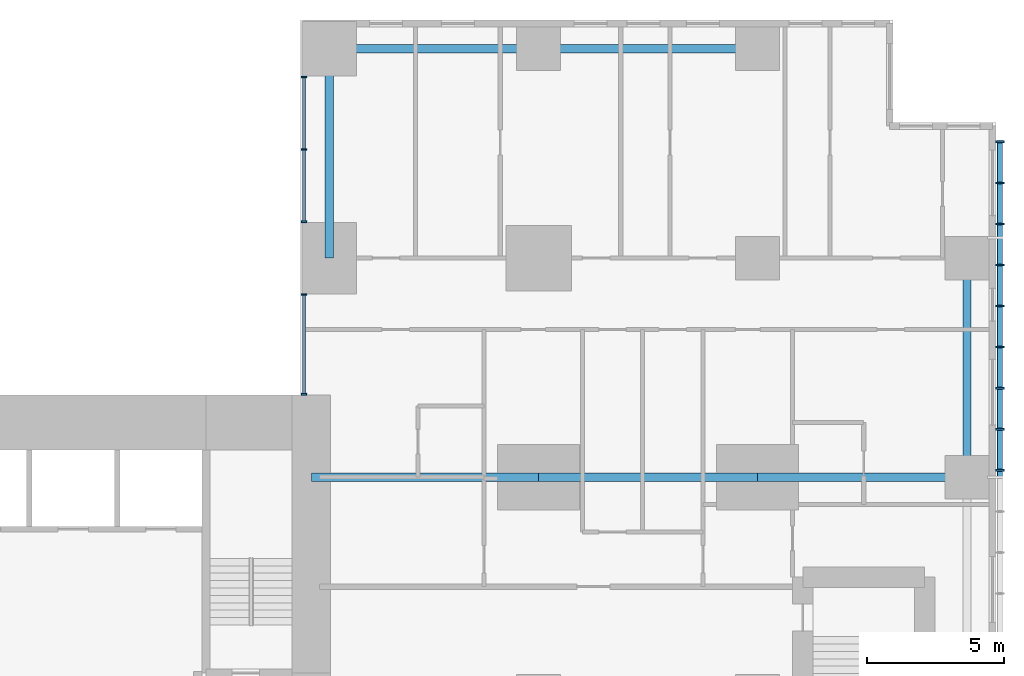
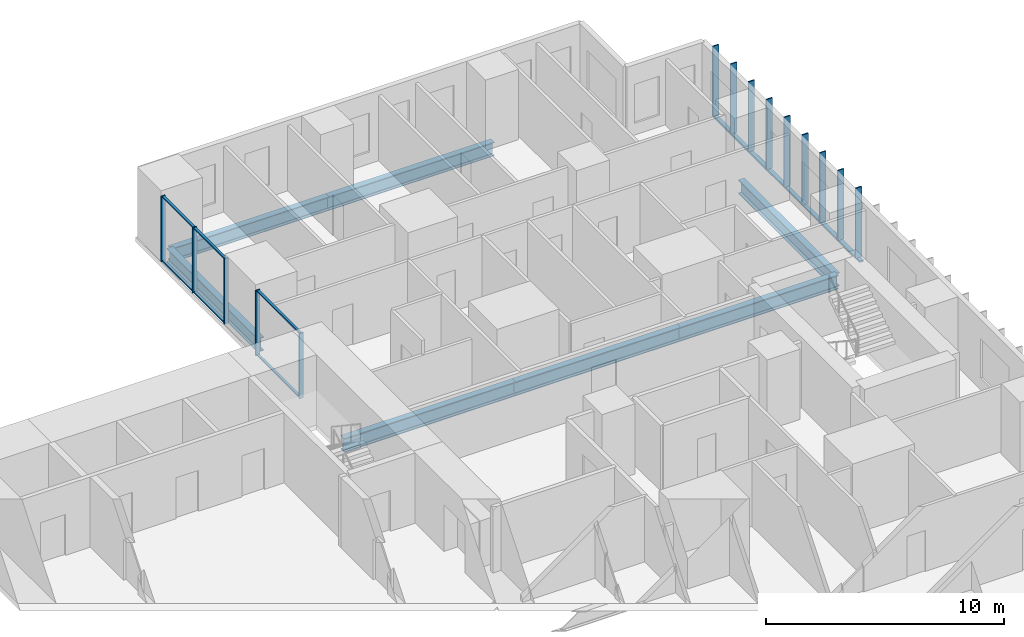
# One storey, part 3 of 12: 21 members, 7 beams, 2 elements without a shape of their own.
"""IFC4 building model written with IfcOpenShell, lengths in metres."""

from ifc_helpers import new_model, si_unit, direction, frame, origin, origin_2d, place, context, subcontext, project, spatial, rectangle, hollow_rectangle, i_section, extrude, material, layer, layer_set, material_profile, profile_set, type_object, element, aggregate, save


model = new_model("IFC4")

# Units and contexts
model_context = context("Model", 3, precision=1e-05, world=origin(), true_north=direction((0.0, 1.0)))
body_context = subcontext(model_context, "Body", "Model", "MODEL_VIEW")
ifc_project = project(units=[si_unit("LENGTHUNIT", "METRE"), si_unit("AREAUNIT", "SQUARE_METRE"), si_unit("VOLUMEUNIT", "CUBIC_METRE"), si_unit("PLANEANGLEUNIT", "RADIAN"), si_unit("MASSUNIT", "GRAM", prefix="KILO")], contexts=[model_context])

# Site, building, storey
site_placement = place(None, origin())
site = spatial("IfcSite", under=ifc_project, at=site_placement, CompositionType="ELEMENT")
building_placement = place(site_placement, origin())
building = spatial("IfcBuilding", under=site, at=building_placement, Name="Cleftline Residences", CompositionType="ELEMENT")
storey_placement = place(building_placement, frame((0.0, 0.0, 237.60009765625)))
storey = spatial("IfcBuildingStorey", under=building, at=storey_placement, Name="L62", CompositionType="ELEMENT", Elevation=237.60009765625)

# Member
ifc_material_1 = material(Name="Steel S355, hot-dip galvanised", Category="steel")
ifc_material_profile_1 = material_profile(ifc_material_1, hollow_rectangle(XDim=0.10009765625, YDim=0.199951171875, WallThickness=0.008056640625, InnerFilletRadius=0.008056640625, OuterFilletRadius=0.011962890625, at=origin_2d()))
ifc_profile_set_1 = profile_set([ifc_material_profile_1], Name="Steel S355, hot-dip galvanised")
member_type_1 = type_object("IfcMemberType", Name="BAGUETTE CARRIER RHS 200X100X8", PredefinedType="USERDEFINED", material=ifc_profile_set_1)
member_1_placement = place(storey_placement, frame((66.85009765625, 32.0, -0.050048828125), z_axis=(0.0, 1.0, 0.0), x_axis=(0.0, 0.0, 1.0)))
element("IfcMember", 1, at=member_1_placement, inside=storey, type_object=member_type_1, Name="Baguette carrier", ObjectType="BAGUETTE CARRIER", PredefinedType="USERDEFINED", context=body_context, shape_type="SweptSolid", body=[
    extrude(hollow_rectangle(XDim=0.10009765625, YDim=0.199951171875, WallThickness=0.008056640625, InnerFilletRadius=0.008056640625, OuterFilletRadius=0.011962890625, at=origin_2d()), origin(), (0.0, 0.0, 1.0), 12.300048828125),
])

# Beams
ifc_material_2 = material(Name="Steel S355", Category="steel")
ifc_material_profile_2 = material_profile(ifc_material_2, i_section(OverallWidth=0.300048828125, OverallDepth=0.699951171875, WebThickness=0.01708984375, FlangeThickness=0.031982421875, FilletRadius=0.027099609375, at=origin_2d()))
ifc_profile_set_2 = profile_set([ifc_material_profile_2], Name="Steel S355")
beam_type_1 = type_object("IfcBeamType", Name="BEAM HEB 700", PredefinedType="BEAM", material=ifc_profile_set_2)
for number, where, z_axis, x_axis, name in (
    (2, (65.64990234375, 32.0, -0.60009765625), (0.0, 1.0, 0.0), (-1.0, 0.0, 0.0), "Edge beam"),
    (3, (58.0, 47.64990234375, -0.60009765625), (-1.0, 0.0, 0.0), (0.0, -1.0, 0.0), "Edge beam"),
):
    element("IfcBeam", number, at=place(storey_placement, frame(where, z_axis=z_axis, x_axis=x_axis)), inside=storey, type_object=beam_type_1, Name=name, PredefinedType="BEAM", context=body_context, shape_type="SweptSolid", body=[
        extrude(i_section(OverallWidth=0.300048828125, OverallDepth=0.699951171875, WebThickness=0.01708984375, FlangeThickness=0.031982421875, FilletRadius=0.027099609375, at=origin_2d()), origin(), (0.0, 0.0, 1.0), 8.0),
    ])
for number, where, z_axis, x_axis, name in (
    (4, (50.0, 47.64990234375, -0.60009765625), (-1.0, 0.0, 0.0), (0.0, -1.0, 0.0), "Edge beam"),
    (5, (42.35009765625, 47.64990234375, -0.60009765625), (0.0, -1.0, 0.0), (1.0, 0.0, 0.0), "Edge beam"),
):
    element("IfcBeam", number, at=place(storey_placement, frame(where, z_axis=z_axis, x_axis=x_axis)), inside=storey, type_object=beam_type_1, Name=name, PredefinedType="BEAM", context=body_context, shape_type="SweptSolid", body=[
        extrude(i_section(OverallWidth=0.300048828125, OverallDepth=0.699951171875, WebThickness=0.01708984375, FlangeThickness=0.031982421875, FilletRadius=0.027099609375, at=origin_2d()), origin(), (0.0, 0.0, 1.0), 7.64990234375),
    ])
ifc_material_3 = material(Name="Steel S355", Category="steel")
ifc_material_profile_3 = material_profile(ifc_material_3, i_section(OverallWidth=0.303955078125, OverallDepth=0.716064453125, WebThickness=0.02099609375, FlangeThickness=0.0400390625, FilletRadius=0.027099609375, at=origin_2d()))
ifc_profile_set_3 = profile_set([ifc_material_profile_3], Name="Steel S355")
beam_type_2 = type_object("IfcBeamType", Name="BEAM HEM 700", PredefinedType="BEAM", material=ifc_profile_set_3)
beam_1_placement = place(storey_placement, frame((65.64990234375, 32.0, -0.608154296875), z_axis=(-1.0, 0.0, 0.0), x_axis=(0.0, -1.0, 0.0)))
element("IfcBeam", 6, at=beam_1_placement, inside=storey, type_object=beam_type_2, Name="Band beam", PredefinedType="BEAM", context=body_context, shape_type="SweptSolid", body=[
    extrude(i_section(OverallWidth=0.303955078125, OverallDepth=0.716064453125, WebThickness=0.02099609375, FlangeThickness=0.0400390625, FilletRadius=0.027099609375, at=origin_2d()), origin(), (0.0, 0.0, 1.0), 7.64990234375),
])
beam_2_placement = place(storey_placement, frame((58.0, 32.0, -0.608154296875), z_axis=(-1.0, 0.0, 0.0), x_axis=(0.0, -1.0, 0.0)))
element("IfcBeam", 7, at=beam_2_placement, inside=storey, type_object=beam_type_2, Name="Band beam", PredefinedType="BEAM", context=body_context, shape_type="SweptSolid", body=[
    extrude(i_section(OverallWidth=0.303955078125, OverallDepth=0.716064453125, WebThickness=0.02099609375, FlangeThickness=0.0400390625, FilletRadius=0.027099609375, at=origin_2d()), origin(), (0.0, 0.0, 1.0), 8.0),
])
beam_3_placement = place(storey_placement, frame((50.0, 32.0, -0.608154296875), z_axis=(-1.0, 0.0, 0.0), x_axis=(0.0, -1.0, 0.0)))
element("IfcBeam", 8, at=beam_3_placement, inside=storey, type_object=beam_type_2, Name="Band beam", PredefinedType="BEAM", context=body_context, shape_type="SweptSolid", body=[
    extrude(i_section(OverallWidth=0.303955078125, OverallDepth=0.716064453125, WebThickness=0.02099609375, FlangeThickness=0.0400390625, FilletRadius=0.027099609375, at=origin_2d()), origin(), (0.0, 0.0, 1.0), 8.300048828125),
])

# Curtain wall, members
ifc_material_4 = material(Name="Aluminium framed curtain wall", Category="aluminium")
ifc_layer = layer(ifc_material_4, 0.199951171875)
ifc_layer_set = layer_set([ifc_layer], Name="CW1 CLEFT GLAZING")
curtain_wall_type = type_object("IfcCurtainWallType", Name="CW1 CLEFT GLAZING", PredefinedType="NOTDEFINED", material=ifc_layer_set)
curtain_wall_1_placement = place(storey_placement, origin())
curtain_wall_1 = element("IfcCurtainWall", 9, at=curtain_wall_1_placement, inside=storey, type_object=curtain_wall_type, Name="Curtain wall CW1", PredefinedType="NOTDEFINED")
ifc_material_5 = material(Name="Aluminium mullion", Category="aluminium")
ifc_material_profile_4 = material_profile(ifc_material_5, rectangle(XDim=0.199951171875, YDim=0.06005859375, at=origin_2d()))
ifc_profile_set_4 = profile_set([ifc_material_profile_4], Name="Aluminium mullion")
member_type_2 = type_object("IfcMemberType", Name="CW1 MULLION", PredefinedType="MULLION", material=ifc_profile_set_4)
member_2_placement = place(storey_placement, frame((41.425048828125, 46.6201171875, 0.0), z_axis=(0.0, 0.0, 1.0), x_axis=(1.0, 0.0, 0.0)))
member_2 = element("IfcMember", 10, at=member_2_placement, type_object=member_type_2, Name="CW1 mullion 1", PredefinedType="MULLION", context=body_context, shape_type="SweptSolid", body=[
    extrude(rectangle(XDim=0.199951171875, YDim=0.06005859375, at=origin_2d()), origin(), (0.0, 0.0, 1.0), 3.349853515625),
])
member_3_placement = place(storey_placement, frame((41.425048828125, 43.97509765625, 0.0), z_axis=(0.0, 0.0, 1.0), x_axis=(1.0, 0.0, 0.0)))
member_3 = element("IfcMember", 11, at=member_3_placement, type_object=member_type_2, Name="CW1 mullion 2", PredefinedType="MULLION", context=body_context, shape_type="SweptSolid", body=[
    extrude(rectangle(XDim=0.199951171875, YDim=0.06005859375, at=origin_2d()), origin(), (0.0, 0.0, 1.0), 3.349853515625),
])
member_4_placement = place(storey_placement, frame((41.425048828125, 41.330078125, 0.0), z_axis=(0.0, 0.0, 1.0), x_axis=(1.0, 0.0, 0.0)))
member_4 = element("IfcMember", 12, at=member_4_placement, type_object=member_type_2, Name="CW1 mullion 3", PredefinedType="MULLION", context=body_context, shape_type="SweptSolid", body=[
    extrude(rectangle(XDim=0.199951171875, YDim=0.06005859375, at=origin_2d()), origin(), (0.0, 0.0, 1.0), 3.349853515625),
])

curtain_wall_2_placement = place(storey_placement, origin())
curtain_wall_2 = element("IfcCurtainWall", 13, at=curtain_wall_2_placement, inside=storey, type_object=curtain_wall_type, Name="Curtain wall CW1", PredefinedType="NOTDEFINED")
member_5_placement = place(storey_placement, frame((41.425048828125, 38.669921875, 0.0), z_axis=(0.0, 0.0, 1.0), x_axis=(1.0, 0.0, 0.0)))
member_5 = element("IfcMember", 14, at=member_5_placement, type_object=member_type_2, Name="CW1 mullion 1", PredefinedType="MULLION", context=body_context, shape_type="SweptSolid", body=[
    extrude(rectangle(XDim=0.199951171875, YDim=0.06005859375, at=origin_2d()), origin(), (0.0, 0.0, 1.0), 3.349853515625),
])
member_6_placement = place(storey_placement, frame((41.425048828125, 35.030029296875, 0.0), z_axis=(0.0, 0.0, 1.0), x_axis=(1.0, 0.0, 0.0)))
member_6 = element("IfcMember", 15, at=member_6_placement, type_object=member_type_2, Name="CW1 mullion 2", PredefinedType="MULLION", context=body_context, shape_type="SweptSolid", body=[
    extrude(rectangle(XDim=0.199951171875, YDim=0.06005859375, at=origin_2d()), origin(), (0.0, 0.0, 1.0), 3.349853515625),
])

# Member
ifc_material_6 = material(Name="Aluminium transom", Category="aluminium")
ifc_material_profile_5 = material_profile(ifc_material_6, rectangle(XDim=0.1201171875, YDim=0.06005859375, at=origin_2d()))
ifc_profile_set_5 = profile_set([ifc_material_profile_5], Name="Aluminium transom")
member_type_3 = type_object("IfcMemberType", Name="CW1 TRANSOM", PredefinedType="USERDEFINED", material=ifc_profile_set_5)
member_7_placement = place(storey_placement, frame((41.425048828125, 46.590087890625, 0.02978515625), z_axis=(0.0, -1.0, 0.0), x_axis=(1.0, 0.0, 0.0)))
member_7 = element("IfcMember", 16, at=member_7_placement, type_object=member_type_3, Name="CW1 transom 1.1", ObjectType="TRANSOM", PredefinedType="USERDEFINED", context=body_context, shape_type="SweptSolid", body=[
    extrude(rectangle(XDim=0.1201171875, YDim=0.06005859375, at=origin_2d()), origin(), (0.0, 0.0, 1.0), 2.585205078125),
])

member_8_placement = place(storey_placement, frame((41.425048828125, 46.590087890625, 3.31982421875), z_axis=(0.0, -1.0, 0.0), x_axis=(1.0, 0.0, 0.0)))
member_8 = element("IfcMember", 17, at=member_8_placement, type_object=member_type_3, Name="CW1 transom 1.2", ObjectType="TRANSOM", PredefinedType="USERDEFINED", context=body_context, shape_type="SweptSolid", body=[
    extrude(rectangle(XDim=0.1201171875, YDim=0.06005859375, at=origin_2d()), origin(), (0.0, 0.0, 1.0), 2.585205078125),
])

member_9_placement = place(storey_placement, frame((41.425048828125, 43.945068359375, 0.02978515625), z_axis=(0.0, -1.0, 0.0), x_axis=(1.0, 0.0, 0.0)))
member_9 = element("IfcMember", 18, at=member_9_placement, type_object=member_type_3, Name="CW1 transom 2.1", ObjectType="TRANSOM", PredefinedType="USERDEFINED", context=body_context, shape_type="SweptSolid", body=[
    extrude(rectangle(XDim=0.1201171875, YDim=0.06005859375, at=origin_2d()), origin(), (0.0, 0.0, 1.0), 2.5849609375),
])

member_10_placement = place(storey_placement, frame((41.425048828125, 43.945068359375, 3.31982421875), z_axis=(0.0, -1.0, 0.0), x_axis=(1.0, 0.0, 0.0)))
member_10 = element("IfcMember", 19, at=member_10_placement, type_object=member_type_3, Name="CW1 transom 2.2", ObjectType="TRANSOM", PredefinedType="USERDEFINED", context=body_context, shape_type="SweptSolid", body=[
    extrude(rectangle(XDim=0.1201171875, YDim=0.06005859375, at=origin_2d()), origin(), (0.0, 0.0, 1.0), 2.5849609375),
])

aggregate(curtain_wall_1, [member_2, member_3, member_4, member_7, member_8, member_9, member_10])

member_11_placement = place(storey_placement, frame((41.425048828125, 38.639892578125, 0.02978515625), z_axis=(0.0, -1.0, 0.0), x_axis=(1.0, 0.0, 0.0)))
member_11 = element("IfcMember", 20, at=member_11_placement, type_object=member_type_3, Name="CW1 transom 1.1", ObjectType="TRANSOM", PredefinedType="USERDEFINED", context=body_context, shape_type="SweptSolid", body=[
    extrude(rectangle(XDim=0.1201171875, YDim=0.06005859375, at=origin_2d()), origin(), (0.0, 0.0, 1.0), 3.579833984375),
])

member_12_placement = place(storey_placement, frame((41.425048828125, 38.639892578125, 3.31982421875), z_axis=(0.0, -1.0, 0.0), x_axis=(1.0, 0.0, 0.0)))
member_12 = element("IfcMember", 21, at=member_12_placement, type_object=member_type_3, Name="CW1 transom 1.2", ObjectType="TRANSOM", PredefinedType="USERDEFINED", context=body_context, shape_type="SweptSolid", body=[
    extrude(rectangle(XDim=0.1201171875, YDim=0.06005859375, at=origin_2d()), origin(), (0.0, 0.0, 1.0), 3.579833984375),
])

aggregate(curtain_wall_2, [member_5, member_6, member_11, member_12])

# Members
ifc_material_7 = material(Name="Extruded terracotta", Category="masonry")
ifc_material_profile_6 = material_profile(ifc_material_7, rectangle(XDim=0.06005859375, YDim=0.300048828125, at=origin_2d()))
ifc_profile_set_6 = profile_set([ifc_material_profile_6], Name="Extruded terracotta")
member_type_4 = type_object("IfcMemberType", Name="TERRACOTTA BAGUETTE 60X300", PredefinedType="USERDEFINED", material=ifc_profile_set_6)
for number, where, z_axis, x_axis, name in (
    (22, (66.85009765625, 32.25, 0.0), (0.0, 0.0, 1.0), (0.0, 1.0, 0.0), "Terracotta baguette"),
    (23, (66.85009765625, 33.75, 0.0), (0.0, 0.0, 1.0), (0.0, 1.0, 0.0), "Terracotta baguette"),
    (24, (66.85009765625, 35.25, 0.0), (0.0, 0.0, 1.0), (0.0, 1.0, 0.0), "Terracotta baguette"),
    (25, (66.85009765625, 36.75, 0.0), (0.0, 0.0, 1.0), (0.0, 1.0, 0.0), "Terracotta baguette"),
    (26, (66.85009765625, 38.25, 0.0), (0.0, 0.0, 1.0), (0.0, 1.0, 0.0), "Terracotta baguette"),
    (27, (66.85009765625, 39.75, 0.0), (0.0, 0.0, 1.0), (0.0, 1.0, 0.0), "Terracotta baguette"),
    (28, (66.85009765625, 41.25, 0.0), (0.0, 0.0, 1.0), (0.0, 1.0, 0.0), "Terracotta baguette"),
    (29, (66.85009765625, 42.75, 0.0), (0.0, 0.0, 1.0), (0.0, 1.0, 0.0), "Terracotta baguette"),
    (30, (66.85009765625, 44.25, 0.0), (0.0, 0.0, 1.0), (0.0, 1.0, 0.0), "Terracotta baguette"),
):
    element("IfcMember", number, at=place(storey_placement, frame(where, z_axis=z_axis, x_axis=x_axis)), inside=storey, type_object=member_type_4, Name=name, ObjectType="BAGUETTE", PredefinedType="USERDEFINED", context=body_context, shape_type="SweptSolid", body=[
        extrude(rectangle(XDim=0.06005859375, YDim=0.300048828125, at=origin_2d()), origin(), (0.0, 0.0, 1.0), 3.599853515625),
    ])

save(model, "model.ifc")
